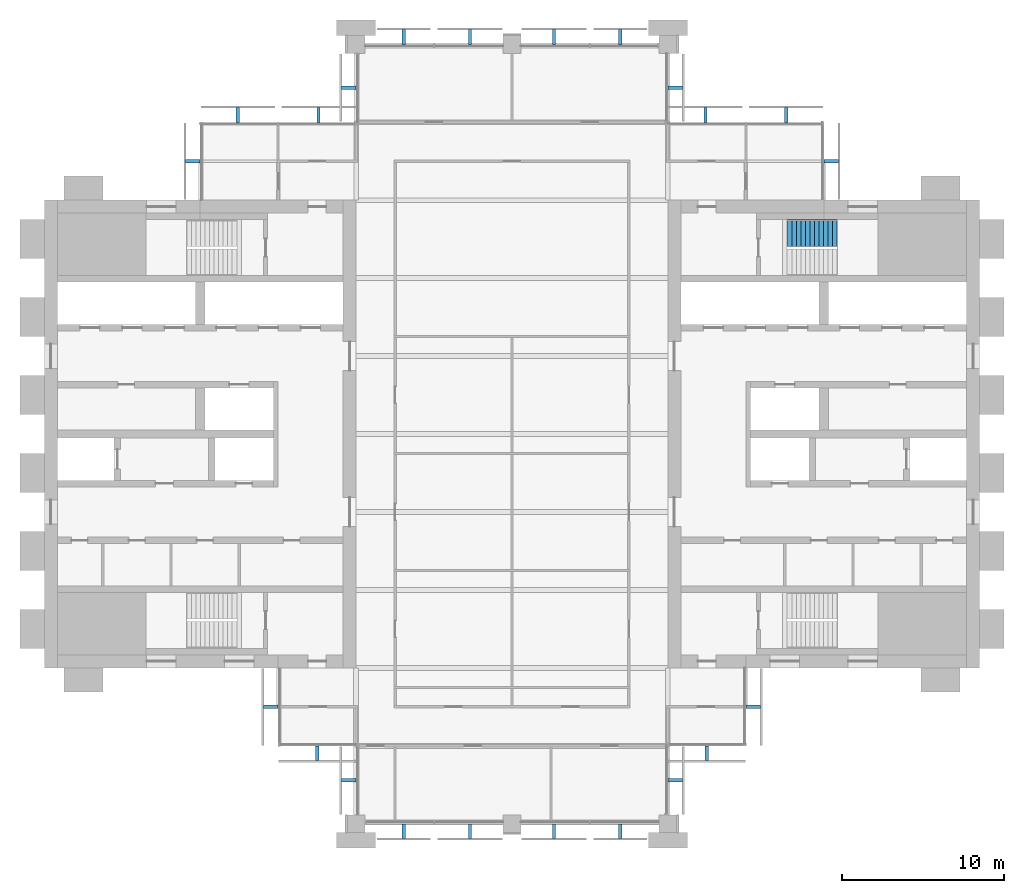
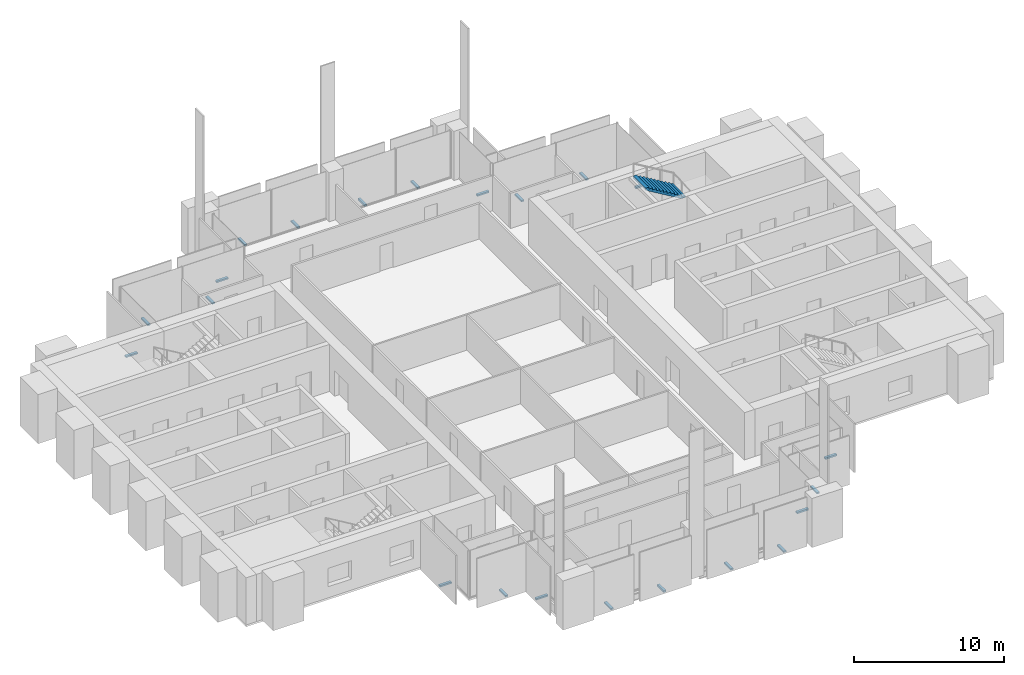
# One storey, part 12 of 13: 22 discrete accessories, 1 stair flight, 1 element without a shape of its own.
"""IFC4 building model written with IfcOpenShell, lengths in metres."""

from ifc_helpers import new_model, si_unit, direction, frame, origin, origin_2d, place, context, subcontext, project, spatial, polyline, rectangle, outline, extrude, material, type_object, element, aggregate, save


model = new_model("IFC4")

# Units and contexts
model_context = context("Model", 3, precision=1e-05, world=origin(), true_north=direction((0.0, 1.0)))
body_context = subcontext(model_context, "Body", "Model", "MODEL_VIEW")
ifc_project = project(units=[si_unit("LENGTHUNIT", "METRE"), si_unit("AREAUNIT", "SQUARE_METRE"), si_unit("VOLUMEUNIT", "CUBIC_METRE"), si_unit("PLANEANGLEUNIT", "RADIAN"), si_unit("MASSUNIT", "GRAM", prefix="KILO")], contexts=[model_context])

# Site, building, storey
site_placement = place(None, origin())
site = spatial("IfcSite", under=ifc_project, at=site_placement, CompositionType="ELEMENT")
building_placement = place(site_placement, origin())
building = spatial("IfcBuilding", under=site, at=building_placement, Name="Baori Bourse Tower", CompositionType="ELEMENT")
storey_placement = place(building_placement, frame((0.0, 0.0, 237.199951171875)))
storey = spatial("IfcBuildingStorey", under=building, at=storey_placement, Name="L52", CompositionType="ELEMENT", Elevation=237.199951171875)

# Stair, stair flight
ifc_material_1 = material(Name="Concrete f'c 50 MPa", Category="concrete")
stair_type = type_object("IfcStairType", Name="Core stair", PredefinedType="HALF_TURN_STAIR", material=ifc_material_1)
stair_placement = place(storey_placement, origin())
stair = element("IfcStair", 1, at=stair_placement, inside=storey, type_object=stair_type, Name="L52 Stair EB", PredefinedType="HALF_TURN_STAIR")
ifc_material_2 = material(Name="Concrete f'c 50 MPa", Category="concrete")
stair_flight_type = type_object("IfcStairFlightType", Name="Core stair flight", PredefinedType="STRAIGHT", material=ifc_material_2)
stair_flight_placement = place(storey_placement, frame((48.830078125, 36.375, 2.0), z_axis=(0.0, 0.0, 1.0), x_axis=(-1.0, 0.0, 0.0)))
stair_flight = element("IfcStairFlight", 2, at=stair_flight_placement, type_object=stair_flight_type, Name="ST4 flight 2", NumberOfRisers=12, NumberOfTreads=11, PredefinedType="STRAIGHT", RiserHeight=0.166666667, TreadLength=0.28, context=body_context, shape_type="SweptSolid", body=[
    extrude(outline(polyline([(0.0, 0.0), (0.0, 0.166748046875), (0.280029296875, 0.166748046875), (0.280029296875, 0.333251953125), (0.56005859375, 0.333251953125), (0.56005859375, 0.5), (0.840087890625, 0.5), (0.840087890625, 0.666748046875), (1.1201171875, 0.666748046875), (1.1201171875, 0.833251953125), (1.39990234375, 0.833251953125), (1.39990234375, 1.0), (1.679931640625, 1.0), (1.679931640625, 1.166748046875), (1.9599609375, 1.166748046875), (1.9599609375, 1.333251953125), (2.239990234375, 1.333251953125), (2.239990234375, 1.5), (2.52001953125, 1.5), (2.52001953125, 1.666748046875), (2.800048828125, 1.666748046875), (2.800048828125, 1.833251953125), (3.080078125, 1.833251953125), (3.080078125, 2.0), (3.080078125, 1.658935546875), (0.29296875, 0.0), (0.0, 0.0)])), frame((0.0, 0.824951171875, 0.0), z_axis=(0.0, -1.0, 0.0), x_axis=(1.0, 0.0, 0.0)), (0.0, 0.0, 1.0), 1.64990234375),
])
aggregate(stair, [stair_flight])

# Discrete accessories
ifc_material_3 = material(Name="Pale anodised aluminium", Category="aluminium")
discrete_accessory_type = type_object("IfcDiscreteAccessoryType", Name="OS2 Outer skin bracket", PredefinedType="BRACKET", material=ifc_material_3)
for number, where, z_axis, x_axis, name in (
    (3, (48.449951171875, 40.800048828125, -0.143798828125), (0.0, 0.0, 1.0), (0.0, 1.0, 0.0), "Outer skin bracket L52 1"),
    (4, (45.6875, 43.64990234375, -0.143798828125), (0.0, 0.0, 1.0), (-1.0, 0.0, 0.0), "Outer skin bracket L52 2"),
    (5, (40.71240234375, 43.64990234375, -0.143798828125), (0.0, 0.0, 1.0), (-1.0, 0.0, 0.0), "Outer skin bracket L52 3"),
    (6, (38.85009765625, 45.324951171875, -0.143798828125), (0.0, 0.0, 1.0), (0.0, 1.0, 0.0), "Outer skin bracket L52 4"),
    (7, (35.46240234375, 48.449951171875, -0.143798828125), (0.0, 0.0, 1.0), (-1.0, 0.0, 0.0), "Outer skin bracket L52 5"),
    (8, (31.387451171875, 48.449951171875, -0.143798828125), (0.0, 0.0, 1.0), (-1.0, 0.0, 0.0), "Outer skin bracket L52 6"),
    (9, (26.21240234375, 48.449951171875, -0.143798828125), (0.0, 0.0, 1.0), (-1.0, 0.0, 0.0), "Outer skin bracket L52 7"),
    (10, (22.137451171875, 48.449951171875, -0.143798828125), (0.0, 0.0, 1.0), (-1.0, 0.0, 0.0), "Outer skin bracket L52 8"),
    (11, (18.75, 45.324951171875, -0.143798828125), (0.0, 0.0, 1.0), (0.0, -1.0, 0.0), "Outer skin bracket L52 9"),
    (12, (16.887451171875, 43.64990234375, -0.143798828125), (0.0, 0.0, 1.0), (-1.0, 0.0, 0.0), "Outer skin bracket L52 10"),
    (13, (11.91259765625, 43.64990234375, -0.143798828125), (0.0, 0.0, 1.0), (-1.0, 0.0, 0.0), "Outer skin bracket L52 11"),
    (14, (9.14990234375, 40.800048828125, -0.143798828125), (0.0, 0.0, 1.0), (0.0, -1.0, 0.0), "Outer skin bracket L52 12"),
    (15, (13.949951171875, 7.199951171875, -0.143798828125), (0.0, 0.0, 1.0), (0.0, -1.0, 0.0), "Outer skin bracket L52 13"),
    (16, (16.800048828125, 4.35009765625, -0.143798828125), (0.0, 0.0, 1.0), (1.0, 0.0, 0.0), "Outer skin bracket L52 14"),
    (17, (18.75, 2.675048828125, -0.143798828125), (0.0, 0.0, 1.0), (0.0, -1.0, 0.0), "Outer skin bracket L52 15"),
    (18, (22.137451171875, -0.449951171875, -0.143798828125), (0.0, 0.0, 1.0), (1.0, 0.0, 0.0), "Outer skin bracket L52 16"),
    (19, (26.21240234375, -0.449951171875, -0.143798828125), (0.0, 0.0, 1.0), (1.0, 0.0, 0.0), "Outer skin bracket L52 17"),
    (20, (31.387451171875, -0.449951171875, -0.143798828125), (0.0, 0.0, 1.0), (1.0, 0.0, 0.0), "Outer skin bracket L52 18"),
    (21, (35.46240234375, -0.449951171875, -0.143798828125), (0.0, 0.0, 1.0), (1.0, 0.0, 0.0), "Outer skin bracket L52 19"),
    (22, (38.85009765625, 2.675048828125, -0.143798828125), (0.0, 0.0, 1.0), (0.0, 1.0, 0.0), "Outer skin bracket L52 20"),
    (23, (40.800048828125, 4.35009765625, -0.143798828125), (0.0, 0.0, 1.0), (1.0, 0.0, 0.0), "Outer skin bracket L52 21"),
    (24, (43.64990234375, 7.199951171875, -0.143798828125), (0.0, 0.0, 1.0), (0.0, 1.0, 0.0), "Outer skin bracket L52 22"),
):
    element("IfcDiscreteAccessory", number, at=place(storey_placement, frame(where, z_axis=z_axis, x_axis=x_axis)), inside=storey, type_object=discrete_accessory_type, Name=name, PredefinedType="BRACKET", context=body_context, shape_type="SweptSolid", body=[
        extrude(rectangle(XDim=0.199951171875, YDim=0.89990234375, at=origin_2d()), origin(), (0.0, 0.0, 1.0), 0.1279296875),
    ])

save(model, "model.ifc")
